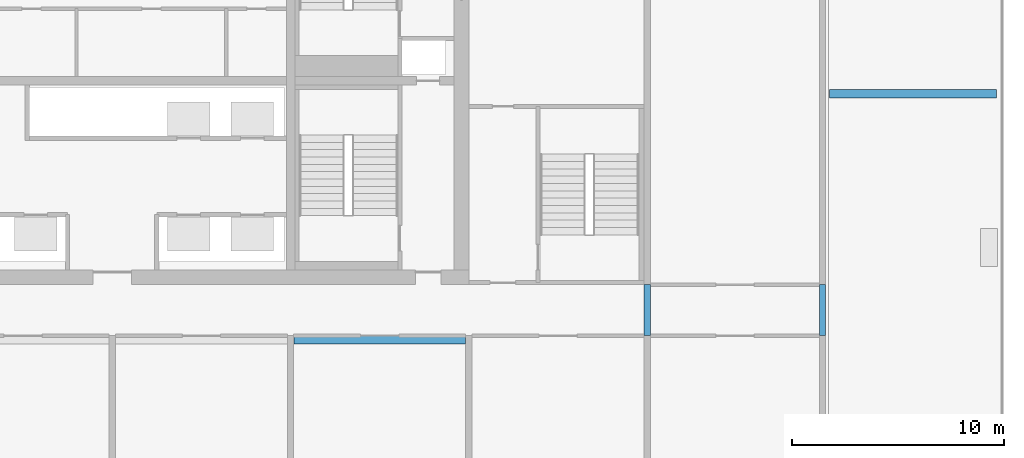
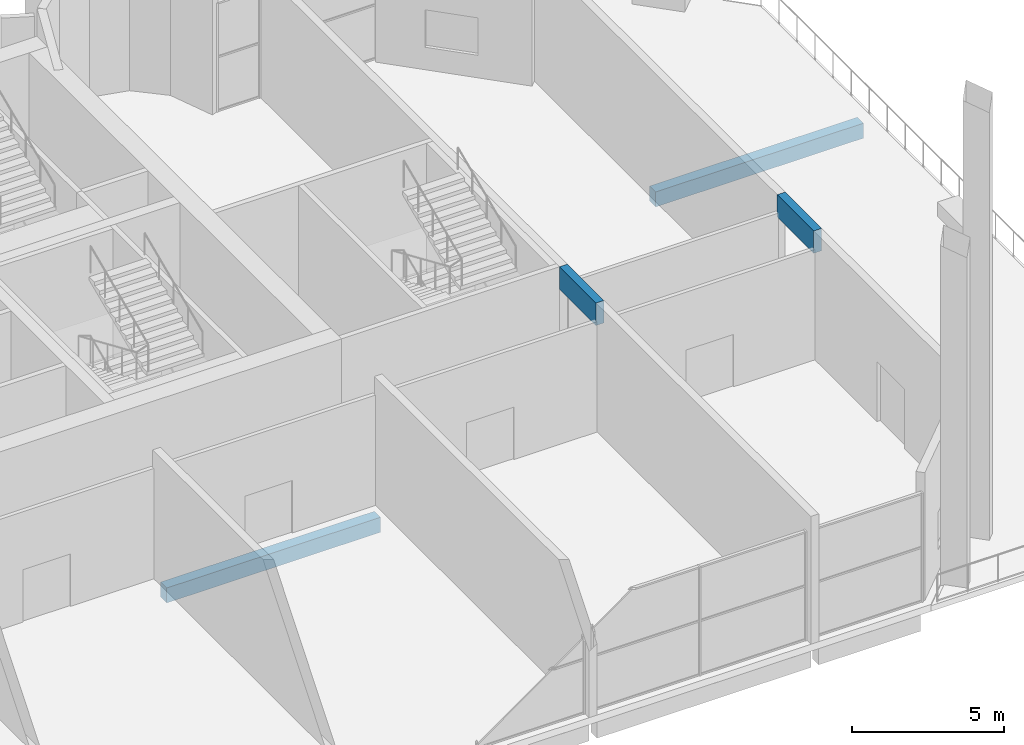
# One storey, part 7 of 19: 4 beams.
"""IFC4 building model written with IfcOpenShell, lengths in metres."""

from ifc_helpers import new_model, si_unit, direction, frame, origin, origin_2d, place, context, subcontext, project, spatial, rectangle, extrude, source, transform, mapped, material, material_profile, profile_set, type_object, element, save


model = new_model("IFC4")

# Units and contexts
model_context = context("Model", 3, precision=1e-05, world=origin(), true_north=direction((0.0, 1.0)))
body_context = subcontext(model_context, "Body", "Model", "MODEL_VIEW")
ifc_project = project(units=[si_unit("LENGTHUNIT", "METRE"), si_unit("AREAUNIT", "SQUARE_METRE"), si_unit("VOLUMEUNIT", "CUBIC_METRE"), si_unit("PLANEANGLEUNIT", "RADIAN"), si_unit("MASSUNIT", "GRAM", prefix="KILO")], contexts=[model_context])

# Site, building, storey
site_placement = place(None, origin())
site = spatial("IfcSite", under=ifc_project, at=site_placement, CompositionType="ELEMENT")
building_placement = place(site_placement, origin())
building = spatial("IfcBuilding", under=site, at=building_placement, Name="Vanashikhar Sky Hotel", CompositionType="ELEMENT")
storey_placement = place(building_placement, frame((0.0, 0.0, 146.199951171875)))
storey = spatial("IfcBuildingStorey", under=building, at=storey_placement, Name="L35", CompositionType="ELEMENT", Elevation=146.199951171875)

# Beams
ifc_material = material(Name="Concrete M50", Category="concrete")
ifc_material_profile_1 = material_profile(ifc_material, rectangle(XDim=0.300048828125, YDim=0.89990234375, at=origin_2d()))
ifc_profile_set_1 = profile_set([ifc_material_profile_1], Name="RC 300x900 beam Concrete M50")
beam_type_1 = type_object("IfcBeamType", Name="RC 300x900 beam Concrete M50", PredefinedType="LINTEL", material=ifc_profile_set_1)
shared_shape_1 = source(origin(), body_context, "Body", "SweptSolid", [
    extrude(rectangle(XDim=0.300048828125, YDim=0.89990234375, at=origin_2d()), origin(), (0.0, 0.0, 1.0), 2.39990234375),
])
for number, where, z_axis, x_axis, name in (
    (1, (84.0, 19.60009765625, 4.670166015625), (0.0, 1.0, 0.0), (-1.0, 0.0, 0.0), "LB-L35-XW11"),
    (2, (92.25, 19.60009765625, 4.670166015625), (0.0, 1.0, 0.0), (-1.0, 0.0, 0.0), "LB-L35-XW12"),
):
    element("IfcBeam", number, at=place(storey_placement, frame(where, z_axis=z_axis, x_axis=x_axis)), inside=storey, type_object=beam_type_1, Name=name, PredefinedType="LINTEL", context=body_context, shape_type="MappedRepresentation", body=[
        mapped(shared_shape_1, transform((0.0, 0.0, 0.0), scale=1.0)),
    ])
ifc_material_profile_2 = material_profile(ifc_material, rectangle(XDim=0.39990234375, YDim=0.60009765625, at=origin_2d()))
ifc_profile_set_2 = profile_set([ifc_material_profile_2], Name="RC 400x600 beam Concrete M50")
beam_type_2 = type_object("IfcBeamType", Name="RC 400x600 beam Concrete M50", PredefinedType="BEAM", material=ifc_profile_set_2)
shared_shape_2 = source(origin(), body_context, "Body", "SweptSolid", [
    extrude(rectangle(XDim=0.39990234375, YDim=0.60009765625, at=origin_2d()), origin(), (0.0, 0.0, 1.0), 8.099853515625),
])
beam_1_placement = place(storey_placement, frame((67.35009765625, 19.39990234375, -0.579833984375), z_axis=(1.0, 0.0, 0.0), x_axis=(0.0, 1.0, 0.0)))
element("IfcBeam", 3, at=beam_1_placement, inside=storey, type_object=beam_type_2, Name="CB-L35-06", PredefinedType="BEAM", context=body_context, shape_type="MappedRepresentation", body=[
    mapped(shared_shape_2, transform((0.0, 0.0, 0.0), scale=1.0)),
])
shared_shape_3 = source(origin(), body_context, "Body", "SweptSolid", [
    extrude(rectangle(XDim=0.39990234375, YDim=0.60009765625, at=origin_2d()), origin(), (0.0, 0.0, 1.0), 7.875),
])
beam_2_placement = place(storey_placement, frame((92.574951171875, 31.0, -0.579833984375), z_axis=(1.0, 0.0, 0.0), x_axis=(0.0, 1.0, 0.0)))
element("IfcBeam", 4, at=beam_2_placement, inside=storey, type_object=beam_type_2, Name="TB-L35-E2", PredefinedType="BEAM", context=body_context, shape_type="MappedRepresentation", body=[
    mapped(shared_shape_3, transform((0.0, 0.0, 0.0), scale=1.0)),
])

save(model, "model.ifc")
